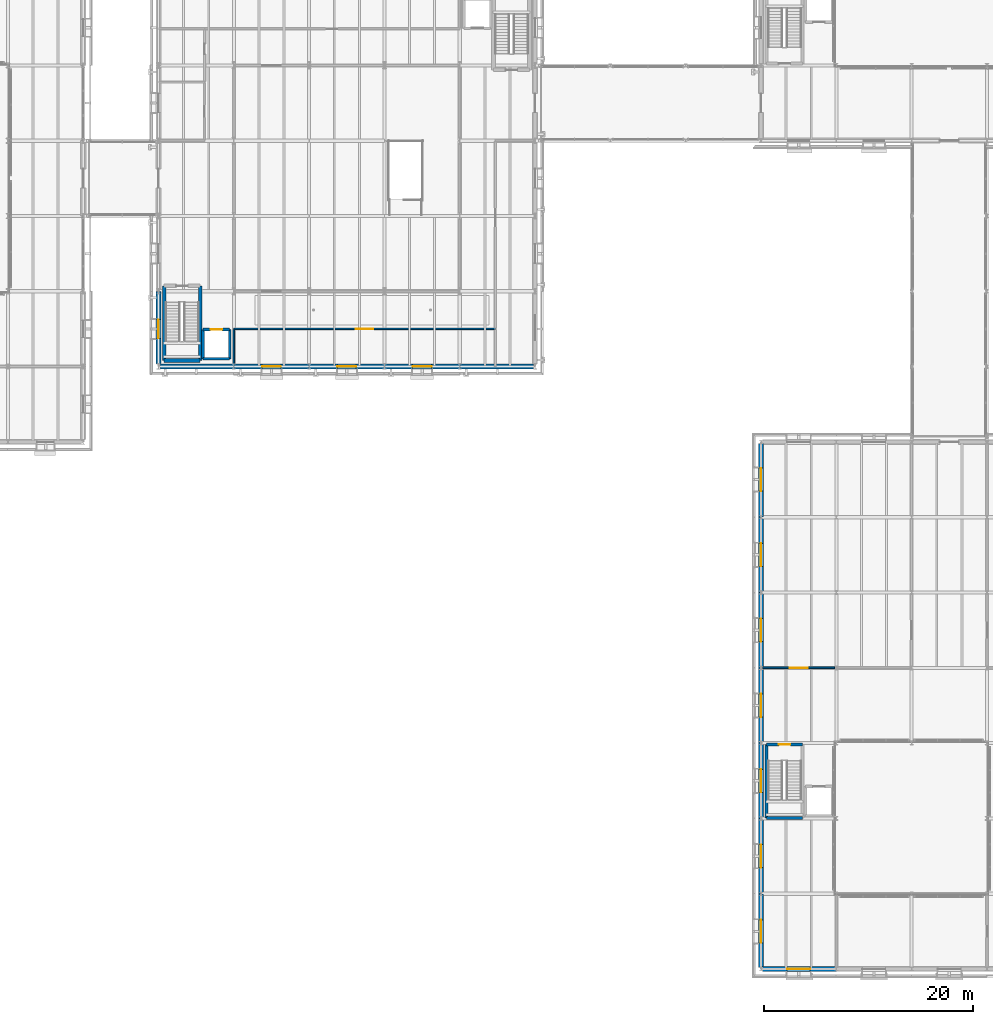
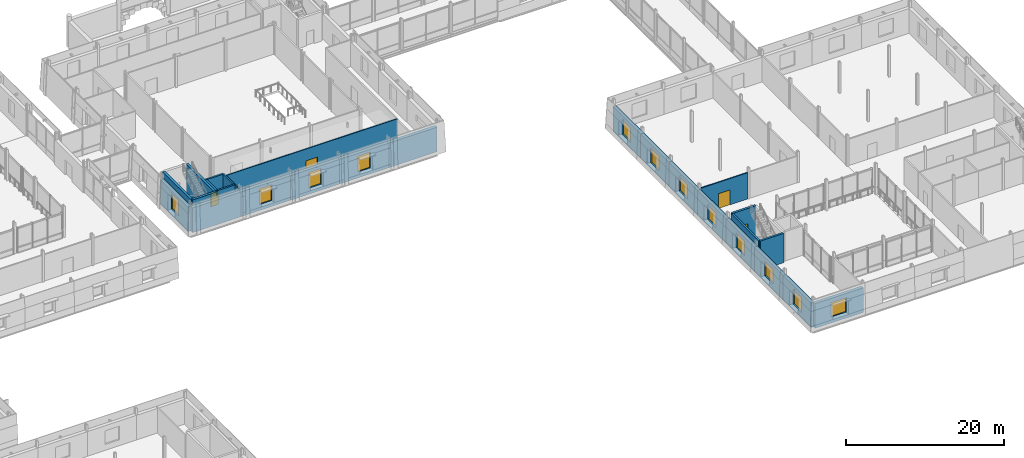
# One storey, part 78 of 121: 27 walls, 12 windows, 4 doors, 16 openings.
"""IFC4 building model written with IfcOpenShell, lengths in metres."""

from ifc_helpers import new_model, si_unit, direction, frame, frame_2d, origin, place, context, subcontext, project, spatial, rectangle, extrude, material, layer, layer_set, type_object, element, fill, save


model = new_model("IFC4")

# Units and contexts
model_context = context("Model", 3, precision=1e-05, world=origin(), true_north=direction((0.0, 1.0)))
body_context = subcontext(model_context, "Body", "Model", "MODEL_VIEW")
ifc_project = project(units=[si_unit("LENGTHUNIT", "METRE"), si_unit("AREAUNIT", "SQUARE_METRE"), si_unit("VOLUMEUNIT", "CUBIC_METRE"), si_unit("PLANEANGLEUNIT", "RADIAN"), si_unit("MASSUNIT", "GRAM", prefix="KILO")], contexts=[model_context])

# Site, building, storey
site_placement = place(None, origin())
site = spatial("IfcSite", under=ifc_project, at=site_placement, CompositionType="ELEMENT")
building_placement = place(site_placement, origin())
building = spatial("IfcBuilding", under=site, at=building_placement, Name="Narikvali Park Central Library", CompositionType="ELEMENT")
storey_placement = place(building_placement, frame((0.0, 0.0, 5.39990234375)))
storey = spatial("IfcBuildingStorey", under=building, at=storey_placement, Name="L01", CompositionType="ELEMENT", Elevation=5.39990234375)

# Wall, opening, door
ifc_material_1 = material(Name="Acoustic Laminated Glass and Steel Studs", Category="steel")
ifc_layer_1 = layer(ifc_material_1, 0.169921875, Name="Acoustic Laminated Glass and Steel Studs")
ifc_layer_set_1 = layer_set([ifc_layer_1], Name="Acoustic Laminated Glass and Steel Studs")
wall_type_1 = type_object("IfcWallType", Name="Maker Space Glazed Acoustic Partition 170", PredefinedType="PARTITIONING", material=ifc_layer_set_1)
wall_1_placement = place(storey_placement, frame((122.553955078125, 28.800048828125, 0.0), z_axis=(0.0, 0.0, 1.0), x_axis=(1.0, 0.0, 0.0)))
wall_1 = element("IfcWall", 1, at=wall_1_placement, inside=storey, type_object=wall_type_1, Name="Digital Fabrication and Robotics Maker Space Partition S", PredefinedType="PARTITIONING", context=body_context, shape_type="SweptSolid", body=[
    extrude(rectangle(XDim=6.89208984375, YDim=0.169921875, at=frame_2d((3.446044921875, 0.0))), origin(), (0.0, 0.0, 1.0), 4.05517578125),
])
opening_1_placement = place(wall_1_placement, frame((2.595947265625, 0.0, 0.0)))
opening_1 = element("IfcOpeningElement", 2, at=opening_1_placement, cuts=wall_1, Name="Opening ID-0157", PredefinedType="OPENING", context=body_context, shape_type="SweptSolid", body=[
    extrude(rectangle(XDim=1.699951171875, YDim=2.300048828125, at=frame_2d((0.85009765625, 1.14990234375))), frame((0.0, 0.096923828125, 0.0), z_axis=(0.0, -1.0, 0.0), x_axis=(1.0, 0.0, 0.0)), (0.0, 0.0, 1.0), 0.19384765625),
])
ifc_material_2 = material(Name="Anodised Aluminium and Laminated Glass", Category="aluminium")
door_type_1 = type_object("IfcDoorType", Name="Maker Workshop Double Door 1700x2300", OperationType="DOUBLE_DOOR_SINGLE_SWING", PredefinedType="DOOR", material=ifc_material_2)
door_1_placement = place(opening_1_placement, origin())
door_1 = element("IfcDoor", 3, at=door_1_placement, inside=storey, type_object=door_type_1, Name="Digital Fabrication and Robotics Maker Space Door ID-0157", OperationType="DOUBLE_DOOR_SINGLE_SWING", OverallHeight=2.300048828125, OverallWidth=1.699951171875, PredefinedType="DOOR", context=body_context, shape_type="SweptSolid", body=[
    extrude(rectangle(XDim=1.699951171875, YDim=2.300048828125, at=frame_2d((0.85009765625, 1.14990234375))), frame((0.0, 0.02490234375, 0.0), z_axis=(0.0, -1.0, 0.0), x_axis=(1.0, 0.0, 0.0)), (0.0, 0.0, 1.0), 0.050048828125),
])
fill(opening_1, door_1)

ifc_material_3 = material(Name="Gypsum Board on Galvanised Steel Studs", Category="steel")
ifc_layer_2 = layer(ifc_material_3, 0.139892578125, Name="Gypsum Board on Galvanised Steel Studs")
ifc_layer_set_2 = layer_set([ifc_layer_2], Name="Gypsum Board on Galvanised Steel Studs")
wall_type_2 = type_object("IfcWallType", Name="Periodicals Partition Wall 140", PredefinedType="PARTITIONING", material=ifc_layer_set_2)
wall_2_placement = place(storey_placement, frame((72.0, 61.199951171875, 0.0), z_axis=(0.0, 0.0, 1.0), x_axis=(1.0, 0.0, 0.0)))
wall_2 = element("IfcWall", 4, at=wall_2_placement, inside=storey, type_object=wall_type_2, Name="South Bibliography Reading Alcove Partition N", PredefinedType="PARTITIONING", context=body_context, shape_type="SweptSolid", body=[
    extrude(rectangle(XDim=25.0, YDim=0.139892578125, at=frame_2d((12.5, 0.0))), origin(), (0.0, 0.0, 1.0), 4.065185546875),
])
opening_2_placement = place(wall_2_placement, frame((11.675048828125, 0.0, 0.0)))
opening_2 = element("IfcOpeningElement", 5, at=opening_2_placement, cuts=wall_2, Name="Opening ID-0042", PredefinedType="OPENING", context=body_context, shape_type="SweptSolid", body=[
    extrude(rectangle(XDim=1.64990234375, YDim=2.25, at=frame_2d((0.824951171875, 1.125))), frame((0.0, 0.08203125, 0.0), z_axis=(0.0, -1.0, 0.0), x_axis=(1.0, 0.0, 0.0)), (0.0, 0.0, 1.0), 0.163818359375),
])
ifc_material_4 = material(Name="Caucasian Oak and Tempered Glass", Category="glass")
door_type_2 = type_object("IfcDoorType", Name="Open Stacks Double Glazed Door 1650x2250", OperationType="DOUBLE_DOOR_SINGLE_SWING", PredefinedType="DOOR", material=ifc_material_4)
door_2_placement = place(opening_2_placement, frame((1.64990234375, 0.0, 0.0), z_axis=(0.0, 0.0, 1.0), x_axis=(-1.0, 0.0, 0.0)))
door_2 = element("IfcDoor", 6, at=door_2_placement, inside=storey, type_object=door_type_2, Name="South Bibliography Reading Alcove Door ID-0042", OperationType="DOUBLE_DOOR_SINGLE_SWING", OverallHeight=2.25, OverallWidth=1.64990234375, PredefinedType="DOOR", context=body_context, shape_type="SweptSolid", body=[
    extrude(rectangle(XDim=1.64990234375, YDim=2.25, at=frame_2d((0.824951171875, 1.125))), frame((0.0, 0.02490234375, 0.0), z_axis=(0.0, -1.0, 0.0), x_axis=(1.0, 0.0, 0.0)), (0.0, 0.0, 1.0), 0.050048828125),
])
fill(opening_2, door_2)

# Walls
wall_3_placement = place(storey_placement, frame((72.0, 57.85400390625, 0.0), z_axis=(0.0, 0.0, 1.0), x_axis=(0.0, 1.0, 0.0)))
element("IfcWall", 7, at=wall_3_placement, inside=storey, type_object=wall_type_2, Name="South Bibliography Reading Alcove Partition W", PredefinedType="PARTITIONING", context=body_context, shape_type="SweptSolid", body=[
    extrude(rectangle(XDim=3.27392578125, YDim=0.139892578125, at=frame_2d((1.636962890625, 0.0))), origin(), (0.0, 0.0, 1.0), 4.065185546875),
])
ifc_material_5 = material(Name="Concrete C40/50", Category="concrete")
ifc_layer_3 = layer(ifc_material_5, 0.35009765625, Name="Concrete C40/50")
ifc_layer_set_3 = layer_set([ifc_layer_3], Name="Concrete C40/50")
wall_type_3 = type_object("IfcWallType", Name="Reinforced Concrete Core Shear Wall 350", PredefinedType="SHEAR", material=ifc_layer_set_3)
wall_4_placement = place(storey_placement, frame((65.330078125, 58.179931640625, 0.0), z_axis=(0.0, 0.0, 1.0), x_axis=(1.0, 0.0, 0.0)))
element("IfcWall", 8, at=wall_4_placement, inside=storey, type_object=wall_type_3, Name="C1A L01 Stair Core Shear Wall S", PredefinedType="SHEAR", context=body_context, shape_type="SweptSolid", body=[
    extrude(rectangle(XDim=3.43994140625, YDim=0.35009765625, at=frame_2d((1.719970703125, 0.0))), origin(), (0.0, 0.0, 1.0), 4.52001953125),
])
for number, where, z_axis, x_axis, name in (
    (9, (68.77001953125, 58.179931640625, 0.0), (0.0, 0.0, 1.0), (0.0, 1.0, 0.0), "C1A L01 Stair Core Shear Wall E"),
    (10, (65.330078125, 65.320068359375, 0.0), (0.0, 0.0, 1.0), (0.0, -1.0, 0.0), "C1A L01 Stair Core Shear Wall W"),
):
    element("IfcWall", number, at=place(storey_placement, frame(where, z_axis=z_axis, x_axis=x_axis)), inside=storey, type_object=wall_type_3, Name=name, PredefinedType="SHEAR", context=body_context, shape_type="SweptSolid", body=[
        extrude(rectangle(XDim=7.14013671875, YDim=0.35009765625, at=frame_2d((3.570068359375, 0.0))), origin(), (0.0, 0.0, 1.0), 4.52001953125),
    ])
ifc_layer_4 = layer(ifc_material_5, 0.25, Name="Concrete C40/50")
ifc_layer_set_4 = layer_set([ifc_layer_4], Name="Concrete C40/50")
wall_type_4 = type_object("IfcWallType", Name="Reinforced Concrete Lift Shaft Wall 250", PredefinedType="SHEAR", material=ifc_layer_set_4)
wall_5_placement = place(storey_placement, frame((69.050048828125, 58.35009765625, 0.0), z_axis=(0.0, 0.0, 1.0), x_axis=(1.0, 0.0, 0.0)))
element("IfcWall", 11, at=wall_5_placement, inside=storey, type_object=wall_type_4, Name="L-01 L01 Lift Shaft Wall S", PredefinedType="SHEAR", context=body_context, shape_type="SweptSolid", body=[
    extrude(rectangle(XDim=2.550048828125, YDim=0.25, at=frame_2d((1.27490234375, 0.0))), origin(), (0.0, 0.0, 1.0), 4.52001953125),
])
wall_6_placement = place(storey_placement, frame((71.60009765625, 58.35009765625, 0.0), z_axis=(0.0, 0.0, 1.0), x_axis=(0.0, 1.0, 0.0)))
element("IfcWall", 12, at=wall_6_placement, inside=storey, type_object=wall_type_4, Name="L-01 L01 Lift Shaft Wall E", PredefinedType="SHEAR", context=body_context, shape_type="SweptSolid", body=[
    extrude(rectangle(XDim=2.7998046875, YDim=0.25, at=frame_2d((1.39990234375, 0.0))), origin(), (0.0, 0.0, 1.0), 4.52001953125),
])

# Wall, opening, door
wall_7_placement = place(storey_placement, frame((71.60009765625, 61.14990234375, 0.0), z_axis=(0.0, 0.0, 1.0), x_axis=(-1.0, 0.0, 0.0)))
wall_7 = element("IfcWall", 13, at=wall_7_placement, inside=storey, type_object=wall_type_4, Name="L-01 L01 Lift Shaft Wall N", PredefinedType="SHEAR", context=body_context, shape_type="SweptSolid", body=[
    extrude(rectangle(XDim=2.550048828125, YDim=0.25, at=frame_2d((1.27490234375, 0.0))), origin(), (0.0, 0.0, 1.0), 4.52001953125),
])
opening_3_placement = place(wall_7_placement, frame((0.72509765625, 0.0, 0.0)))
opening_3 = element("IfcOpeningElement", 14, at=opening_3_placement, cuts=wall_7, Name="Opening LD-003", PredefinedType="OPENING", context=body_context, shape_type="SweptSolid", body=[
    extrude(rectangle(XDim=1.10009765625, YDim=2.10009765625, at=frame_2d((0.550048828125, 1.050048828125))), frame((0.0, 0.136962890625, 0.0), z_axis=(0.0, -1.0, 0.0), x_axis=(1.0, 0.0, 0.0)), (0.0, 0.0, 1.0), 0.27392578125),
])
ifc_material_6 = material(Name="Brushed Stainless Steel S355", Category="steel")
door_type_3 = type_object("IfcDoorType", Name="Passenger Lift Sliding Landing Door 1100x2100", OperationType="SLIDING_TO_LEFT", PredefinedType="DOOR", material=ifc_material_6)
door_3_placement = place(opening_3_placement, origin())
door_3 = element("IfcDoor", 15, at=door_3_placement, inside=storey, type_object=door_type_3, Name="L-01 L01 Lift Landing Sliding Door LD-003", OperationType="SLIDING_TO_LEFT", OverallHeight=2.10009765625, OverallWidth=1.10009765625, PredefinedType="DOOR", context=body_context, shape_type="SweptSolid", body=[
    extrude(rectangle(XDim=1.10009765625, YDim=2.10009765625, at=frame_2d((0.550048828125, 1.050048828125))), frame((0.0, 0.02490234375, 0.0), z_axis=(0.0, -1.0, 0.0), x_axis=(1.0, 0.0, 0.0)), (0.0, 0.0, 1.0), 0.050048828125),
])
fill(opening_3, door_3)

# Walls
wall_8_placement = place(storey_placement, frame((69.050048828125, 61.14990234375, 0.0), z_axis=(0.0, 0.0, 1.0), x_axis=(0.0, -1.0, 0.0)))
element("IfcWall", 16, at=wall_8_placement, inside=storey, type_object=wall_type_4, Name="L-01 L01 Lift Shaft Wall W", PredefinedType="SHEAR", context=body_context, shape_type="SweptSolid", body=[
    extrude(rectangle(XDim=2.7998046875, YDim=0.25, at=frame_2d((1.39990234375, 0.0))), origin(), (0.0, 0.0, 1.0), 4.52001953125),
])
ifc_layer_5 = layer(ifc_material_5, 0.300048828125, Name="Concrete C40/50")
ifc_layer_set_5 = layer_set([ifc_layer_5], Name="Concrete C40/50")
wall_type_5 = type_object("IfcWallType", Name="Reinforced Concrete Shear Wall 300", PredefinedType="SHEAR", material=ifc_layer_set_5)
wall_9_placement = place(storey_placement, frame((122.929931640625, 14.429931640625, 0.0), z_axis=(0.0, 0.0, 1.0), x_axis=(1.0, 0.0, 0.0)))
element("IfcWall", 17, at=wall_9_placement, inside=storey, type_object=wall_type_5, Name="C6A L01 Stair Core Shear Wall S", PredefinedType="SHEAR", context=body_context, shape_type="SweptSolid", body=[
    extrude(rectangle(XDim=3.440185546875, YDim=0.300048828125, at=frame_2d((1.72021484375, 0.0))), origin(), (0.0, 0.0, 1.0), 4.52001953125),
])

# Wall, opening, door
wall_10_placement = place(storey_placement, frame((126.3701171875, 21.469970703125, 0.0), z_axis=(0.0, 0.0, 1.0), x_axis=(-1.0, 0.0, 0.0)))
wall_10 = element("IfcWall", 18, at=wall_10_placement, inside=storey, type_object=wall_type_5, Name="C6A L01 Stair Core Shear Wall N", PredefinedType="SHEAR", context=body_context, shape_type="SweptSolid", body=[
    extrude(rectangle(XDim=3.440185546875, YDim=0.300048828125, at=frame_2d((1.72021484375, 0.0))), origin(), (0.0, 0.0, 1.0), 4.52001953125),
])
opening_4_placement = place(wall_10_placement, frame((1.169921875, 0.0, 0.0)))
opening_4 = element("IfcOpeningElement", 19, at=opening_4_placement, cuts=wall_10, Name="Opening SD-059", PredefinedType="OPENING", context=body_context, shape_type="SweptSolid", body=[
    extrude(rectangle(XDim=1.10009765625, YDim=2.14990234375, at=frame_2d((0.550048828125, 1.074951171875))), frame((0.0, 0.162109375, 0.0), z_axis=(0.0, -1.0, 0.0), x_axis=(1.0, 0.0, 0.0)), (0.0, 0.0, 1.0), 0.323974609375),
])
ifc_material_7 = material(Name="Powder-Coated Steel S275 Fire Leaf", Category="steel")
door_type_4 = type_object("IfcDoorType", Name="Stair Core Smoke-Control Fire Door 1100x2150", OperationType="SINGLE_SWING_LEFT", PredefinedType="DOOR", material=ifc_material_7)
door_4_placement = place(opening_4_placement, frame((1.10009765625, 0.0, 0.0), z_axis=(0.0, 0.0, 1.0), x_axis=(-1.0, 0.0, 0.0)))
door_4 = element("IfcDoor", 20, at=door_4_placement, inside=storey, type_object=door_type_4, Name="ST-11 L01 Stair Exit Door SD-059", OperationType="SINGLE_SWING_LEFT", OverallHeight=2.14990234375, OverallWidth=1.10009765625, PredefinedType="DOOR", context=body_context, shape_type="SweptSolid", body=[
    extrude(rectangle(XDim=1.10009765625, YDim=2.14990234375, at=frame_2d((0.550048828125, 1.074951171875))), frame((0.0, 0.02490234375, 0.0), z_axis=(0.0, -1.0, 0.0), x_axis=(1.0, 0.0, 0.0)), (0.0, 0.0, 1.0), 0.050048828125),
])
fill(opening_4, door_4)

# Walls
wall_11_placement = place(storey_placement, frame((122.929931640625, 21.469970703125, 0.0), z_axis=(0.0, 0.0, 1.0), x_axis=(0.0, -1.0, 0.0)))
element("IfcWall", 21, at=wall_11_placement, inside=storey, type_object=wall_type_5, Name="C6A L01 Stair Core Shear Wall W", PredefinedType="SHEAR", context=body_context, shape_type="SweptSolid", body=[
    extrude(rectangle(XDim=7.0400390625, YDim=0.300048828125, at=frame_2d((3.52001953125, 0.0))), origin(), (0.0, 0.0, 1.0), 4.52001953125),
])
ifc_material_8 = material(Name="White Honed Limestone over Concrete C35/45", Category="masonry")
ifc_layer_6 = layer(ifc_material_8, 0.47998046875, Name="White Honed Limestone over Concrete C35/45")
ifc_layer_set_6 = layer_set([ifc_layer_6], Name="White Honed Limestone over Concrete C35/45")
wall_type_6 = type_object("IfcWallType", Name="White Limestone Battered Tier1 Wall 480", PredefinedType="SOLIDWALL", material=ifc_layer_set_6)
wall_12_placement = place(storey_placement, frame((64.9541015625, 57.60009765625, 0.0), z_axis=(0.0, 0.0, 1.0), x_axis=(1.0, 0.0, 0.0)))
element("IfcWall", 22, at=wall_12_placement, inside=storey, type_object=wall_type_6, Name="V1 L01 S Exterior Limestone Wall B01", PredefinedType="SOLIDWALL", context=body_context, shape_type="SweptSolid", body=[
    extrude(rectangle(XDim=7.0458984375, YDim=0.47998046875, at=frame_2d((3.52294921875, 0.0))), origin(), (0.0, 0.0, 1.0), 3.800048828125),
])

# Wall, opening, window
wall_13_placement = place(storey_placement, frame((72.0, 57.60009765625, 0.0), z_axis=(0.0, 0.0, 1.0), x_axis=(1.0, 0.0, 0.0)))
wall_13 = element("IfcWall", 23, at=wall_13_placement, inside=storey, type_object=wall_type_6, Name="V1 L01 S Exterior Limestone Wall B02", PredefinedType="SOLIDWALL", context=body_context, shape_type="SweptSolid", body=[
    extrude(rectangle(XDim=7.199951171875, YDim=0.47998046875, at=frame_2d((3.60009765625, 0.0))), origin(), (0.0, 0.0, 1.0), 3.800048828125),
])
opening_5_placement = place(wall_13_placement, frame((2.699951171875, 0.0, 0.89990234375)))
opening_5 = element("IfcOpeningElement", 24, at=opening_5_placement, cuts=wall_13, Name="Opening WIN-0011", PredefinedType="OPENING", context=body_context, shape_type="SweptSolid", body=[
    extrude(rectangle(XDim=1.800048828125, YDim=2.449951171875, at=frame_2d((0.89990234375, 1.22509765625))), frame((0.0, 0.251953125, 0.0), z_axis=(0.0, -1.0, 0.0), x_axis=(1.0, 0.0, 0.0)), (0.0, 0.0, 1.0), 0.50390625),
])
ifc_material_9 = material(Name="Anodised Bronze Aluminium and Low-E Triple Glazing", Category="aluminium")
window_type_1 = type_object("IfcWindowType", Name="Rotunda Piano Nobile Tall Classical Window 1800x2450", PartitioningType="DOUBLE_PANEL_VERTICAL", PredefinedType="WINDOW", material=ifc_material_9)
window_1_placement = place(opening_5_placement, origin())
window_1 = element("IfcWindow", 25, at=window_1_placement, inside=storey, type_object=window_type_1, Name="V1 L01 S Deep-Reveal Window WIN-0011", OverallHeight=2.449951171875, OverallWidth=1.800048828125, PartitioningType="SINGLE_PANEL", PredefinedType="WINDOW", context=body_context, shape_type="SweptSolid", body=[
    extrude(rectangle(XDim=1.800048828125, YDim=2.449951171875, at=frame_2d((0.89990234375, 1.22509765625))), frame((0.0, 0.030029296875, 0.0), z_axis=(0.0, -1.0, 0.0), x_axis=(1.0, 0.0, 0.0)), (0.0, 0.0, 1.0), 0.06005859375),
])
fill(opening_5, window_1)

wall_14_placement = place(storey_placement, frame((79.199951171875, 57.60009765625, 0.0), z_axis=(0.0, 0.0, 1.0), x_axis=(1.0, 0.0, 0.0)))
wall_14 = element("IfcWall", 26, at=wall_14_placement, inside=storey, type_object=wall_type_6, Name="V1 L01 S Exterior Limestone Wall B03", PredefinedType="SOLIDWALL", context=body_context, shape_type="SweptSolid", body=[
    extrude(rectangle(XDim=7.199951171875, YDim=0.47998046875, at=frame_2d((3.60009765625, 0.0))), origin(), (0.0, 0.0, 1.0), 3.800048828125),
])
opening_6_placement = place(wall_14_placement, frame((2.699951171875, 0.0, 0.89990234375)))
opening_6 = element("IfcOpeningElement", 27, at=opening_6_placement, cuts=wall_14, Name="Opening WIN-0012", PredefinedType="OPENING", context=body_context, shape_type="SweptSolid", body=[
    extrude(rectangle(XDim=1.800048828125, YDim=2.449951171875, at=frame_2d((0.89990234375, 1.22509765625))), frame((0.0, 0.251953125, 0.0), z_axis=(0.0, -1.0, 0.0), x_axis=(1.0, 0.0, 0.0)), (0.0, 0.0, 1.0), 0.50390625),
])
window_2_placement = place(opening_6_placement, origin())
window_2 = element("IfcWindow", 28, at=window_2_placement, inside=storey, type_object=window_type_1, Name="V1 L01 S Deep-Reveal Window WIN-0012", OverallHeight=2.449951171875, OverallWidth=1.800048828125, PartitioningType="SINGLE_PANEL", PredefinedType="WINDOW", context=body_context, shape_type="SweptSolid", body=[
    extrude(rectangle(XDim=1.800048828125, YDim=2.449951171875, at=frame_2d((0.89990234375, 1.22509765625))), frame((0.0, 0.030029296875, 0.0), z_axis=(0.0, -1.0, 0.0), x_axis=(1.0, 0.0, 0.0)), (0.0, 0.0, 1.0), 0.06005859375),
])
fill(opening_6, window_2)

wall_15_placement = place(storey_placement, frame((86.39990234375, 57.60009765625, 0.0), z_axis=(0.0, 0.0, 1.0), x_axis=(1.0, 0.0, 0.0)))
wall_15 = element("IfcWall", 29, at=wall_15_placement, inside=storey, type_object=wall_type_6, Name="V1 L01 S Exterior Limestone Wall B04", PredefinedType="SOLIDWALL", context=body_context, shape_type="SweptSolid", body=[
    extrude(rectangle(XDim=7.2001953125, YDim=0.47998046875, at=frame_2d((3.60009765625, 0.0))), origin(), (0.0, 0.0, 1.0), 3.800048828125),
])
opening_7_placement = place(wall_15_placement, frame((2.699951171875, 0.0, 0.89990234375)))
opening_7 = element("IfcOpeningElement", 30, at=opening_7_placement, cuts=wall_15, Name="Opening WIN-0013", PredefinedType="OPENING", context=body_context, shape_type="SweptSolid", body=[
    extrude(rectangle(XDim=1.800048828125, YDim=2.449951171875, at=frame_2d((0.89990234375, 1.22509765625))), frame((0.0, 0.251953125, 0.0), z_axis=(0.0, -1.0, 0.0), x_axis=(1.0, 0.0, 0.0)), (0.0, 0.0, 1.0), 0.50390625),
])
window_3_placement = place(opening_7_placement, origin())
window_3 = element("IfcWindow", 31, at=window_3_placement, inside=storey, type_object=window_type_1, Name="V1 L01 S Deep-Reveal Window WIN-0013", OverallHeight=2.449951171875, OverallWidth=1.800048828125, PartitioningType="SINGLE_PANEL", PredefinedType="WINDOW", context=body_context, shape_type="SweptSolid", body=[
    extrude(rectangle(XDim=1.800048828125, YDim=2.449951171875, at=frame_2d((0.89990234375, 1.22509765625))), frame((0.0, 0.030029296875, 0.0), z_axis=(0.0, -1.0, 0.0), x_axis=(1.0, 0.0, 0.0)), (0.0, 0.0, 1.0), 0.06005859375),
])
fill(opening_7, window_3)

# Wall
wall_16_placement = place(storey_placement, frame((93.60009765625, 57.60009765625, 0.0), z_axis=(0.0, 0.0, 1.0), x_axis=(1.0, 0.0, 0.0)))
element("IfcWall", 32, at=wall_16_placement, inside=storey, type_object=wall_type_6, Name="V1 L01 S Exterior Limestone Wall B05", PredefinedType="SOLIDWALL", context=body_context, shape_type="SweptSolid", body=[
    extrude(rectangle(XDim=7.0458984375, YDim=0.47998046875, at=frame_2d((3.52294921875, 0.0))), origin(), (0.0, 0.0, 1.0), 3.800048828125),
])

# Wall, opening, window
wall_17_placement = place(storey_placement, frame((64.800048828125, 64.800048828125, 0.0), z_axis=(0.0, 0.0, 1.0), x_axis=(0.0, -1.0, 0.0)))
wall_17 = element("IfcWall", 33, at=wall_17_placement, inside=storey, type_object=wall_type_6, Name="V1 L01 W Exterior Limestone Wall B05", PredefinedType="SOLIDWALL", context=body_context, shape_type="SweptSolid", body=[
    extrude(rectangle(XDim=6.946044921875, YDim=0.47998046875, at=frame_2d((3.47314453125, 0.0))), origin(), (0.0, 0.0, 1.0), 3.800048828125),
])
opening_8_placement = place(wall_17_placement, frame((2.699951171875, 0.0, 0.89990234375)))
opening_8 = element("IfcOpeningElement", 34, at=opening_8_placement, cuts=wall_17, Name="Opening WIN-0023", PredefinedType="OPENING", context=body_context, shape_type="SweptSolid", body=[
    extrude(rectangle(XDim=1.800048828125, YDim=2.449951171875, at=frame_2d((0.89990234375, 1.22509765625))), frame((0.0, 0.251953125, 0.0), z_axis=(0.0, -1.0, 0.0), x_axis=(1.0, 0.0, 0.0)), (0.0, 0.0, 1.0), 0.50390625),
])
window_4_placement = place(opening_8_placement, origin())
window_4 = element("IfcWindow", 35, at=window_4_placement, inside=storey, type_object=window_type_1, Name="V1 L01 W Deep-Reveal Window WIN-0023", OverallHeight=2.449951171875, OverallWidth=1.800048828125, PartitioningType="SINGLE_PANEL", PredefinedType="WINDOW", context=body_context, shape_type="SweptSolid", body=[
    extrude(rectangle(XDim=1.800048828125, YDim=2.449951171875, at=frame_2d((0.89990234375, 1.22509765625))), frame((0.0, 0.030029296875, 0.0), z_axis=(0.0, -1.0, 0.0), x_axis=(1.0, 0.0, 0.0)), (0.0, 0.0, 1.0), 0.06005859375),
])
fill(opening_8, window_4)

wall_18_placement = place(storey_placement, frame((122.553955078125, 0.0, 0.0), z_axis=(0.0, 0.0, 1.0), x_axis=(1.0, 0.0, 0.0)))
wall_18 = element("IfcWall", 36, at=wall_18_placement, inside=storey, type_object=wall_type_6, Name="V6 L01 S Exterior Limestone Wall B01", PredefinedType="SOLIDWALL", context=body_context, shape_type="SweptSolid", body=[
    extrude(rectangle(XDim=7.046142578125, YDim=0.47998046875, at=frame_2d((3.52294921875, 0.0))), origin(), (0.0, 0.0, 1.0), 3.800048828125),
])
opening_9_placement = place(wall_18_placement, frame((2.345947265625, 0.0, 0.89990234375)))
opening_9 = element("IfcOpeningElement", 37, at=opening_9_placement, cuts=wall_18, Name="Opening WIN-0362", PredefinedType="OPENING", context=body_context, shape_type="SweptSolid", body=[
    extrude(rectangle(XDim=2.199951171875, YDim=2.25, at=frame_2d((1.10009765625, 1.125))), frame((0.0, 0.251953125, 0.0), z_axis=(0.0, -1.0, 0.0), x_axis=(1.0, 0.0, 0.0)), (0.0, 0.0, 1.0), 0.50390625),
])
window_type_2 = type_object("IfcWindowType", Name="Community & Fine Arts Studio Window 2200x2250", PartitioningType="TRIPLE_PANEL_VERTICAL", PredefinedType="WINDOW", material=ifc_material_9)
window_5_placement = place(opening_9_placement, origin())
window_5 = element("IfcWindow", 38, at=window_5_placement, inside=storey, type_object=window_type_2, Name="V6 L01 S Deep-Reveal Window WIN-0362", OverallHeight=2.25, OverallWidth=2.199951171875, PartitioningType="SINGLE_PANEL", PredefinedType="WINDOW", context=body_context, shape_type="SweptSolid", body=[
    extrude(rectangle(XDim=2.199951171875, YDim=2.25, at=frame_2d((1.10009765625, 1.125))), frame((0.0, 0.030029296875, 0.0), z_axis=(0.0, -1.0, 0.0), x_axis=(1.0, 0.0, 0.0)), (0.0, 0.0, 1.0), 0.06005859375),
])
fill(opening_9, window_5)

wall_19_placement = place(storey_placement, frame((122.39990234375, 50.236083984375, 0.0), z_axis=(0.0, 0.0, 1.0), x_axis=(0.0, -1.0, 0.0)))
wall_19 = element("IfcWall", 39, at=wall_19_placement, inside=storey, type_object=wall_type_6, Name="V6 L01 W Exterior Limestone Wall B01", PredefinedType="SOLIDWALL", context=body_context, shape_type="SweptSolid", body=[
    extrude(rectangle(XDim=7.0361328125, YDim=0.47998046875, at=frame_2d((3.51806640625, 0.0))), origin(), (0.0, 0.0, 1.0), 3.800048828125),
])
opening_10_placement = place(wall_19_placement, frame((2.3359375, 0.0, 0.89990234375)))
opening_10 = element("IfcOpeningElement", 40, at=opening_10_placement, cuts=wall_19, Name="Opening WIN-0377", PredefinedType="OPENING", context=body_context, shape_type="SweptSolid", body=[
    extrude(rectangle(XDim=2.199951171875, YDim=2.25, at=frame_2d((1.10009765625, 1.125))), frame((0.0, 0.251953125, 0.0), z_axis=(0.0, -1.0, 0.0), x_axis=(1.0, 0.0, 0.0)), (0.0, 0.0, 1.0), 0.50390625),
])
window_6_placement = place(opening_10_placement, origin())
window_6 = element("IfcWindow", 41, at=window_6_placement, inside=storey, type_object=window_type_2, Name="V6 L01 W Deep-Reveal Window WIN-0377", OverallHeight=2.25, OverallWidth=2.199951171875, PartitioningType="SINGLE_PANEL", PredefinedType="WINDOW", context=body_context, shape_type="SweptSolid", body=[
    extrude(rectangle(XDim=2.199951171875, YDim=2.25, at=frame_2d((1.10009765625, 1.125))), frame((0.0, 0.030029296875, 0.0), z_axis=(0.0, -1.0, 0.0), x_axis=(1.0, 0.0, 0.0)), (0.0, 0.0, 1.0), 0.06005859375),
])
fill(opening_10, window_6)

wall_20_placement = place(storey_placement, frame((122.39990234375, 43.199951171875, 0.0), z_axis=(0.0, 0.0, 1.0), x_axis=(0.0, -1.0, 0.0)))
wall_20 = element("IfcWall", 42, at=wall_20_placement, inside=storey, type_object=wall_type_6, Name="V6 L01 W Exterior Limestone Wall B02", PredefinedType="SOLIDWALL", context=body_context, shape_type="SweptSolid", body=[
    extrude(rectangle(XDim=7.199951171875, YDim=0.47998046875, at=frame_2d((3.60009765625, 0.0))), origin(), (0.0, 0.0, 1.0), 3.800048828125),
])
opening_11_placement = place(wall_20_placement, frame((2.5, 0.0, 0.89990234375)))
opening_11 = element("IfcOpeningElement", 43, at=opening_11_placement, cuts=wall_20, Name="Opening WIN-0378", PredefinedType="OPENING", context=body_context, shape_type="SweptSolid", body=[
    extrude(rectangle(XDim=2.199951171875, YDim=2.25, at=frame_2d((1.10009765625, 1.125))), frame((0.0, 0.251953125, 0.0), z_axis=(0.0, -1.0, 0.0), x_axis=(1.0, 0.0, 0.0)), (0.0, 0.0, 1.0), 0.50390625),
])
window_7_placement = place(opening_11_placement, origin())
window_7 = element("IfcWindow", 44, at=window_7_placement, inside=storey, type_object=window_type_2, Name="V6 L01 W Deep-Reveal Window WIN-0378", OverallHeight=2.25, OverallWidth=2.199951171875, PartitioningType="SINGLE_PANEL", PredefinedType="WINDOW", context=body_context, shape_type="SweptSolid", body=[
    extrude(rectangle(XDim=2.199951171875, YDim=2.25, at=frame_2d((1.10009765625, 1.125))), frame((0.0, 0.030029296875, 0.0), z_axis=(0.0, -1.0, 0.0), x_axis=(1.0, 0.0, 0.0)), (0.0, 0.0, 1.0), 0.06005859375),
])
fill(opening_11, window_7)

wall_21_placement = place(storey_placement, frame((122.39990234375, 36.0, 0.0), z_axis=(0.0, 0.0, 1.0), x_axis=(0.0, -1.0, 0.0)))
wall_21 = element("IfcWall", 45, at=wall_21_placement, inside=storey, type_object=wall_type_6, Name="V6 L01 W Exterior Limestone Wall B03", PredefinedType="SOLIDWALL", context=body_context, shape_type="SweptSolid", body=[
    extrude(rectangle(XDim=7.199951171875, YDim=0.47998046875, at=frame_2d((3.60009765625, 0.0))), origin(), (0.0, 0.0, 1.0), 3.800048828125),
])
opening_12_placement = place(wall_21_placement, frame((2.5, 0.0, 0.89990234375)))
opening_12 = element("IfcOpeningElement", 46, at=opening_12_placement, cuts=wall_21, Name="Opening WIN-0379", PredefinedType="OPENING", context=body_context, shape_type="SweptSolid", body=[
    extrude(rectangle(XDim=2.199951171875, YDim=2.25, at=frame_2d((1.10009765625, 1.125))), frame((0.0, 0.251953125, 0.0), z_axis=(0.0, -1.0, 0.0), x_axis=(1.0, 0.0, 0.0)), (0.0, 0.0, 1.0), 0.50390625),
])
window_8_placement = place(opening_12_placement, origin())
window_8 = element("IfcWindow", 47, at=window_8_placement, inside=storey, type_object=window_type_2, Name="V6 L01 W Deep-Reveal Window WIN-0379", OverallHeight=2.25, OverallWidth=2.199951171875, PartitioningType="SINGLE_PANEL", PredefinedType="WINDOW", context=body_context, shape_type="SweptSolid", body=[
    extrude(rectangle(XDim=2.199951171875, YDim=2.25, at=frame_2d((1.10009765625, 1.125))), frame((0.0, 0.030029296875, 0.0), z_axis=(0.0, -1.0, 0.0), x_axis=(1.0, 0.0, 0.0)), (0.0, 0.0, 1.0), 0.06005859375),
])
fill(opening_12, window_8)

wall_22_placement = place(storey_placement, frame((122.39990234375, 28.800048828125, 0.0), z_axis=(0.0, 0.0, 1.0), x_axis=(0.0, -1.0, 0.0)))
wall_22 = element("IfcWall", 48, at=wall_22_placement, inside=storey, type_object=wall_type_6, Name="V6 L01 W Exterior Limestone Wall B04", PredefinedType="SOLIDWALL", context=body_context, shape_type="SweptSolid", body=[
    extrude(rectangle(XDim=7.199951171875, YDim=0.47998046875, at=frame_2d((3.60009765625, 0.0))), origin(), (0.0, 0.0, 1.0), 3.800048828125),
])
opening_13_placement = place(wall_22_placement, frame((2.5, 0.0, 0.89990234375)))
opening_13 = element("IfcOpeningElement", 49, at=opening_13_placement, cuts=wall_22, Name="Opening WIN-0380", PredefinedType="OPENING", context=body_context, shape_type="SweptSolid", body=[
    extrude(rectangle(XDim=2.199951171875, YDim=2.25, at=frame_2d((1.10009765625, 1.125))), frame((0.0, 0.251953125, 0.0), z_axis=(0.0, -1.0, 0.0), x_axis=(1.0, 0.0, 0.0)), (0.0, 0.0, 1.0), 0.50390625),
])
window_9_placement = place(opening_13_placement, origin())
window_9 = element("IfcWindow", 50, at=window_9_placement, inside=storey, type_object=window_type_2, Name="V6 L01 W Deep-Reveal Window WIN-0380", OverallHeight=2.25, OverallWidth=2.199951171875, PartitioningType="SINGLE_PANEL", PredefinedType="WINDOW", context=body_context, shape_type="SweptSolid", body=[
    extrude(rectangle(XDim=2.199951171875, YDim=2.25, at=frame_2d((1.10009765625, 1.125))), frame((0.0, 0.030029296875, 0.0), z_axis=(0.0, -1.0, 0.0), x_axis=(1.0, 0.0, 0.0)), (0.0, 0.0, 1.0), 0.06005859375),
])
fill(opening_13, window_9)

wall_23_placement = place(storey_placement, frame((122.39990234375, 21.60009765625, 0.0), z_axis=(0.0, 0.0, 1.0), x_axis=(0.0, -1.0, 0.0)))
wall_23 = element("IfcWall", 51, at=wall_23_placement, inside=storey, type_object=wall_type_6, Name="V6 L01 W Exterior Limestone Wall B05", PredefinedType="SOLIDWALL", context=body_context, shape_type="SweptSolid", body=[
    extrude(rectangle(XDim=7.2001953125, YDim=0.47998046875, at=frame_2d((3.60009765625, 0.0))), origin(), (0.0, 0.0, 1.0), 3.800048828125),
])
opening_14_placement = place(wall_23_placement, frame((2.5, 0.0, 0.89990234375)))
opening_14 = element("IfcOpeningElement", 52, at=opening_14_placement, cuts=wall_23, Name="Opening WIN-0381", PredefinedType="OPENING", context=body_context, shape_type="SweptSolid", body=[
    extrude(rectangle(XDim=2.199951171875, YDim=2.25, at=frame_2d((1.10009765625, 1.125))), frame((0.0, 0.251953125, 0.0), z_axis=(0.0, -1.0, 0.0), x_axis=(1.0, 0.0, 0.0)), (0.0, 0.0, 1.0), 0.50390625),
])
window_10_placement = place(opening_14_placement, origin())
window_10 = element("IfcWindow", 53, at=window_10_placement, inside=storey, type_object=window_type_2, Name="V6 L01 W Deep-Reveal Window WIN-0381", OverallHeight=2.25, OverallWidth=2.199951171875, PartitioningType="SINGLE_PANEL", PredefinedType="WINDOW", context=body_context, shape_type="SweptSolid", body=[
    extrude(rectangle(XDim=2.199951171875, YDim=2.25, at=frame_2d((1.10009765625, 1.125))), frame((0.0, 0.030029296875, 0.0), z_axis=(0.0, -1.0, 0.0), x_axis=(1.0, 0.0, 0.0)), (0.0, 0.0, 1.0), 0.06005859375),
])
fill(opening_14, window_10)

wall_24_placement = place(storey_placement, frame((122.39990234375, 14.39990234375, 0.0), z_axis=(0.0, 0.0, 1.0), x_axis=(0.0, -1.0, 0.0)))
wall_24 = element("IfcWall", 54, at=wall_24_placement, inside=storey, type_object=wall_type_6, Name="V6 L01 W Exterior Limestone Wall B06", PredefinedType="SOLIDWALL", context=body_context, shape_type="SweptSolid", body=[
    extrude(rectangle(XDim=7.199951171875, YDim=0.47998046875, at=frame_2d((3.60009765625, 0.0))), origin(), (0.0, 0.0, 1.0), 3.800048828125),
])
opening_15_placement = place(wall_24_placement, frame((2.5, 0.0, 0.89990234375)))
opening_15 = element("IfcOpeningElement", 55, at=opening_15_placement, cuts=wall_24, Name="Opening WIN-0382", PredefinedType="OPENING", context=body_context, shape_type="SweptSolid", body=[
    extrude(rectangle(XDim=2.199951171875, YDim=2.25, at=frame_2d((1.10009765625, 1.125))), frame((0.0, 0.251953125, 0.0), z_axis=(0.0, -1.0, 0.0), x_axis=(1.0, 0.0, 0.0)), (0.0, 0.0, 1.0), 0.50390625),
])
window_11_placement = place(opening_15_placement, origin())
window_11 = element("IfcWindow", 56, at=window_11_placement, inside=storey, type_object=window_type_2, Name="V6 L01 W Deep-Reveal Window WIN-0382", OverallHeight=2.25, OverallWidth=2.199951171875, PartitioningType="SINGLE_PANEL", PredefinedType="WINDOW", context=body_context, shape_type="SweptSolid", body=[
    extrude(rectangle(XDim=2.199951171875, YDim=2.25, at=frame_2d((1.10009765625, 1.125))), frame((0.0, 0.030029296875, 0.0), z_axis=(0.0, -1.0, 0.0), x_axis=(1.0, 0.0, 0.0)), (0.0, 0.0, 1.0), 0.06005859375),
])
fill(opening_15, window_11)

wall_25_placement = place(storey_placement, frame((122.39990234375, 7.199951171875, 0.0), z_axis=(0.0, 0.0, 1.0), x_axis=(0.0, -1.0, 0.0)))
wall_25 = element("IfcWall", 57, at=wall_25_placement, inside=storey, type_object=wall_type_6, Name="V6 L01 W Exterior Limestone Wall B07", PredefinedType="SOLIDWALL", context=body_context, shape_type="SweptSolid", body=[
    extrude(rectangle(XDim=7.035888671875, YDim=0.47998046875, at=frame_2d((3.51806640625, 0.0))), origin(), (0.0, 0.0, 1.0), 3.800048828125),
])
opening_16_placement = place(wall_25_placement, frame((2.5, 0.0, 0.89990234375)))
opening_16 = element("IfcOpeningElement", 58, at=opening_16_placement, cuts=wall_25, Name="Opening WIN-0383", PredefinedType="OPENING", context=body_context, shape_type="SweptSolid", body=[
    extrude(rectangle(XDim=2.199951171875, YDim=2.25, at=frame_2d((1.10009765625, 1.125))), frame((0.0, 0.251953125, 0.0), z_axis=(0.0, -1.0, 0.0), x_axis=(1.0, 0.0, 0.0)), (0.0, 0.0, 1.0), 0.50390625),
])
window_12_placement = place(opening_16_placement, origin())
window_12 = element("IfcWindow", 59, at=window_12_placement, inside=storey, type_object=window_type_2, Name="V6 L01 W Deep-Reveal Window WIN-0383", OverallHeight=2.25, OverallWidth=2.199951171875, PartitioningType="SINGLE_PANEL", PredefinedType="WINDOW", context=body_context, shape_type="SweptSolid", body=[
    extrude(rectangle(XDim=2.199951171875, YDim=2.25, at=frame_2d((1.10009765625, 1.125))), frame((0.0, 0.030029296875, 0.0), z_axis=(0.0, -1.0, 0.0), x_axis=(1.0, 0.0, 0.0)), (0.0, 0.0, 1.0), 0.06005859375),
])
fill(opening_16, window_12)

save(model, "model.ifc")
